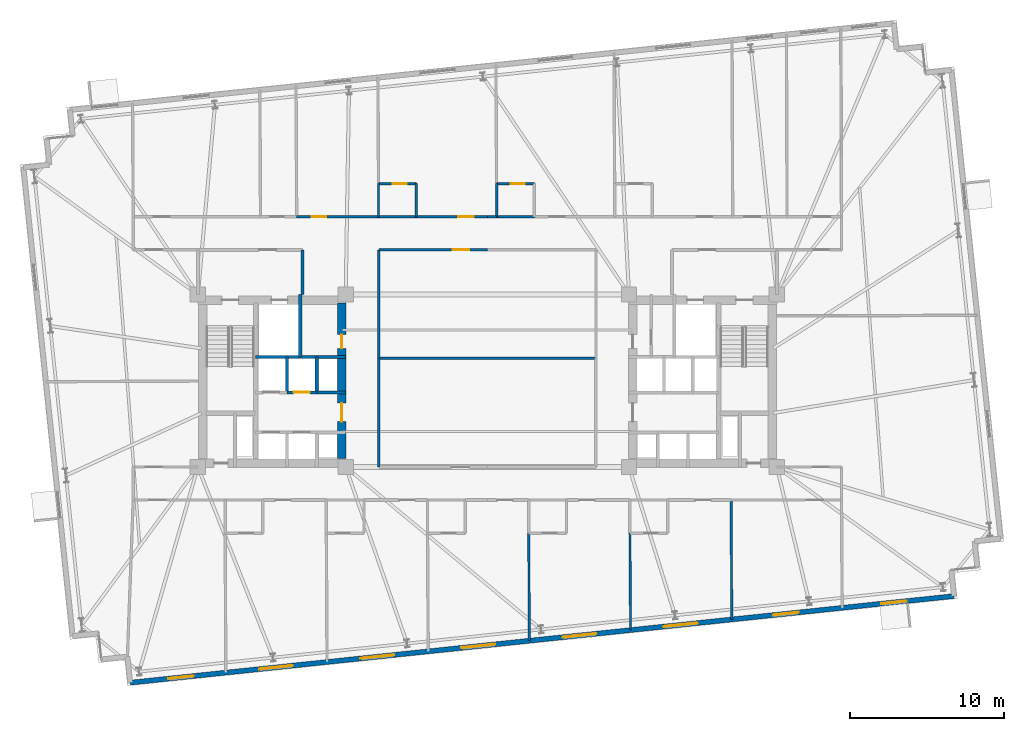
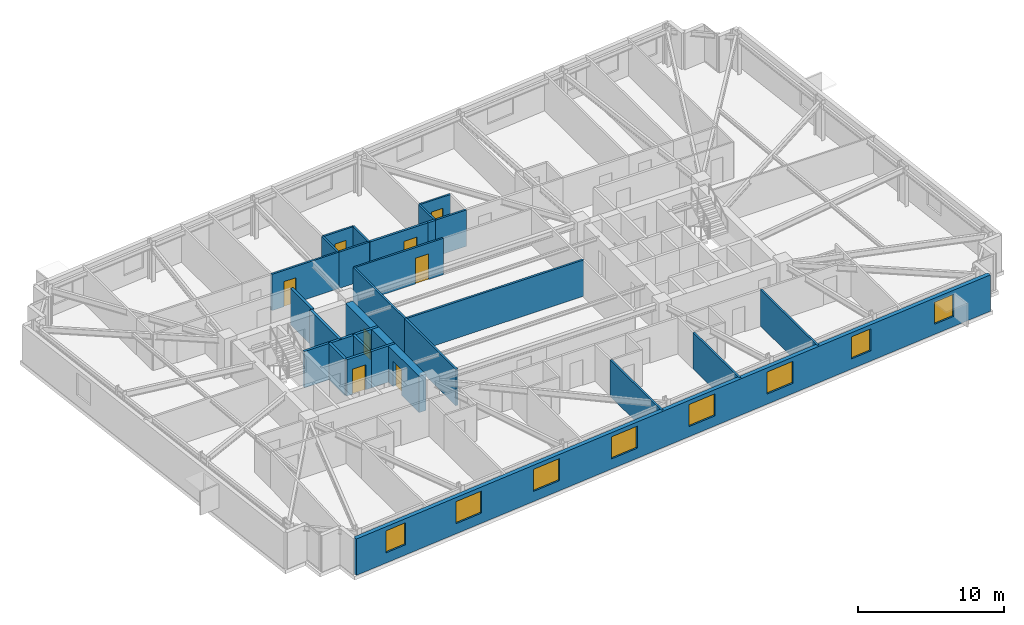
# One storey, part 13 of 18: 26 walls, 8 doors, 8 windows, 16 openings.
"""IFC4 building model written with IfcOpenShell, lengths in metres."""

from ifc_helpers import new_model, si_unit, direction, frame, frame_2d, origin, place, context, subcontext, project, spatial, rectangle, extrude, material, layer, layer_set, type_object, element, fill, save


model = new_model("IFC4")

# Units and contexts
model_context = context("Model", 3, precision=1e-05, world=origin(), true_north=direction((0.0, 1.0)))
body_context = subcontext(model_context, "Body", "Model", "MODEL_VIEW")
ifc_project = project(units=[si_unit("LENGTHUNIT", "METRE"), si_unit("AREAUNIT", "SQUARE_METRE"), si_unit("VOLUMEUNIT", "CUBIC_METRE"), si_unit("PLANEANGLEUNIT", "RADIAN"), si_unit("MASSUNIT", "GRAM", prefix="KILO")], contexts=[model_context])

# Site, building, storey
site_placement = place(None, origin())
site = spatial("IfcSite", under=ifc_project, at=site_placement, CompositionType="ELEMENT")
building_placement = place(site_placement, origin())
building = spatial("IfcBuilding", under=site, at=building_placement, Name="Qobustan Lattice House", CompositionType="ELEMENT")
storey_placement = place(building_placement, frame((0.0, 0.0, 119.199951171875)))
storey = spatial("IfcBuildingStorey", under=building, at=storey_placement, Name="L33", CompositionType="ELEMENT", Elevation=119.199951171875)

# Wall, openings, doors
ifc_material_1 = material(Name="Concrete C60/75", Category="concrete")
ifc_layer_1 = layer(ifc_material_1, 0.56005859375)
ifc_layer_set_1 = layer_set([ifc_layer_1], Name="Concrete C60/75")
wall_type_1 = type_object("IfcWallType", Name="WAL-CORE-600", PredefinedType="SHEAR", material=ifc_layer_set_1)
wall_1_placement = place(storey_placement, frame((-9.449951171875, -5.050048828125, 0.0), z_axis=(0.0, 0.0, 1.0), x_axis=(0.0, 1.0, 0.0)))
wall_1 = element("IfcWall", 1, at=wall_1_placement, inside=storey, type_object=wall_type_1, Name="L33 split-core shear wall CW-E", PredefinedType="SHEAR", context=body_context, shape_type="SweptSolid", body=[
    extrude(rectangle(XDim=10.10009765625, YDim=0.56005859375, at=frame_2d((5.050048828125, 0.0))), origin(), (0.0, 0.0, 1.0), 3.045166015625),
])
opening_1_placement = place(wall_1_placement, frame((7.14990234375, 0.0, 0.0)))
opening_1 = element("IfcOpeningElement", 2, at=opening_1_placement, cuts=wall_1, Name="Opening RD-01", PredefinedType="OPENING", context=body_context, shape_type="SweptSolid", body=[
    extrude(rectangle(XDim=0.89990234375, YDim=2.10009765625, at=frame_2d((0.449951171875, 1.050048828125))), frame((0.0, 0.2900390625, 0.0), z_axis=(0.0, -1.0, 0.0), x_axis=(1.0, 0.0, 0.0)), (0.0, 0.0, 1.0), 0.580078125),
])
opening_2_placement = place(wall_1_placement, frame((2.39990234375, 0.0, 0.0)))
opening_2 = element("IfcOpeningElement", 3, at=opening_2_placement, cuts=wall_1, Name="Opening FD-01", PredefinedType="OPENING", context=body_context, shape_type="SweptSolid", body=[
    extrude(rectangle(XDim=1.199951171875, YDim=2.14990234375, at=frame_2d((0.60009765625, 1.074951171875))), frame((0.0, 0.2900390625, 0.0), z_axis=(0.0, -1.0, 0.0), x_axis=(1.0, 0.0, 0.0)), (0.0, 0.0, 1.0), 0.580078125),
])
ifc_material_2 = material(Name="Persian walnut timber and steel frame door", Category="steel")
door_type_1 = type_object("IfcDoorType", Name="DOR-LOBBY-FD-1200x2150", OperationType="NOTDEFINED", PredefinedType="DOOR", material=ifc_material_2)
door_1_placement = place(opening_2_placement, origin())
door_1 = element("IfcDoor", 4, at=door_1_placement, inside=storey, type_object=door_type_1, Name="L33 West passenger lift lobby fire door", OperationType="SINGLE_SWING_RIGHT", OverallHeight=2.14990234375, OverallWidth=1.199951171875, PredefinedType="DOOR", context=body_context, shape_type="SweptSolid", body=[
    extrude(rectangle(XDim=1.199951171875, YDim=2.14990234375, at=frame_2d((0.60009765625, 1.074951171875))), frame((0.0, 0.02490234375, 0.0), z_axis=(0.0, -1.0, 0.0), x_axis=(1.0, 0.0, 0.0)), (0.0, 0.0, 1.0), 0.050048828125),
])
fill(opening_2, door_1)
ifc_material_3 = material(Name="Persian walnut timber and steel frame door", Category="steel")
door_type_2 = type_object("IfcDoorType", Name="DOR-RISER-FD-900x2100", OperationType="NOTDEFINED", PredefinedType="DOOR", material=ifc_material_3)
door_2_placement = place(opening_1_placement, origin())
door_2 = element("IfcDoor", 5, at=door_2_placement, inside=storey, type_object=door_type_2, Name="L33 Floor tea pantry fire door", OperationType="SINGLE_SWING_LEFT", OverallHeight=2.10009765625, OverallWidth=0.89990234375, PredefinedType="DOOR", context=body_context, shape_type="SweptSolid", body=[
    extrude(rectangle(XDim=0.89990234375, YDim=2.10009765625, at=frame_2d((0.449951171875, 1.050048828125))), frame((0.0, 0.02490234375, 0.0), z_axis=(0.0, -1.0, 0.0), x_axis=(1.0, 0.0, 0.0)), (0.0, 0.0, 1.0), 0.050048828125),
])
fill(opening_1, door_2)

# Wall, openings, windows
ifc_material_4 = material(Name="Precast concrete C40/50", Category="concrete")
ifc_layer_2 = layer(ifc_material_4, 0.320068359375)
ifc_layer_set_2 = layer_set([ifc_layer_2], Name="Precast concrete C40/50")
wall_type_2 = type_object("IfcWallType", Name="WAL-EXT-STONE-320", PredefinedType="SOLIDWALL", material=ifc_layer_set_2)
wall_2_placement = place(storey_placement, frame((30.307373046875, -13.985595703125, 0.0), z_axis=(0.0, 0.0, 1.0), x_axis=(-0.994521628355, -0.104531003701, 0.0)))
wall_2 = element("IfcWall", 6, at=wall_2_placement, inside=storey, type_object=wall_type_2, Name="L33 exterior limestone-clad wall 20", PredefinedType="SOLIDWALL", context=body_context, shape_type="SweptSolid", body=[
    extrude(rectangle(XDim=53.800048828125, YDim=0.320068359375, at=frame_2d((26.89990234375, 0.0))), origin(), (0.0, 0.0, 1.0), 3.045166015625),
])
opening_3_placement = place(wall_2_placement, frame((3.097900390625, 0.0, 0.85009765625)))
opening_3 = element("IfcOpeningElement", 7, at=opening_3_placement, cuts=wall_2, Name="Opening WN-09", PredefinedType="OPENING", context=body_context, shape_type="SweptSolid", body=[
    extrude(rectangle(XDim=1.64990234375, YDim=1.85009765625, at=frame_2d((0.824951171875, 0.925048828125))), frame((0.0, 0.169921875, 0.0), z_axis=(0.0, -1.0, 0.0), x_axis=(1.0, 0.0, 0.0)), (0.0, 0.0, 1.0), 0.340087890625),
])
opening_4_placement = place(wall_2_placement, frame((10.143310546875, 0.0, 0.85009765625)))
opening_4 = element("IfcOpeningElement", 8, at=opening_4_placement, cuts=wall_2, Name="Opening WN-09", PredefinedType="OPENING", context=body_context, shape_type="SweptSolid", body=[
    extrude(rectangle(XDim=1.64990234375, YDim=1.85009765625, at=frame_2d((0.824951171875, 0.925048828125))), frame((0.0, 0.169921875, 0.0), z_axis=(0.0, -1.0, 0.0), x_axis=(1.0, 0.0, 0.0)), (0.0, 0.0, 1.0), 0.340087890625),
])
opening_5_placement = place(wall_2_placement, frame((16.75341796875, 0.0, 0.85009765625)))
opening_5 = element("IfcOpeningElement", 9, at=opening_5_placement, cuts=wall_2, Name="Opening WN-03", PredefinedType="OPENING", context=body_context, shape_type="SweptSolid", body=[
    extrude(rectangle(XDim=2.199951171875, YDim=1.85009765625, at=frame_2d((1.10009765625, 0.925048828125))), frame((0.0, 0.169921875, 0.0), z_axis=(0.0, -1.0, 0.0), x_axis=(1.0, 0.0, 0.0)), (0.0, 0.0, 1.0), 0.340087890625),
])
opening_6_placement = place(wall_2_placement, frame((23.358154296875, 0.0, 0.85009765625)))
opening_6 = element("IfcOpeningElement", 10, at=opening_6_placement, cuts=wall_2, Name="Opening WN-03", PredefinedType="OPENING", context=body_context, shape_type="SweptSolid", body=[
    extrude(rectangle(XDim=2.199951171875, YDim=1.85009765625, at=frame_2d((1.10009765625, 0.925048828125))), frame((0.0, 0.169921875, 0.0), z_axis=(0.0, -1.0, 0.0), x_axis=(1.0, 0.0, 0.0)), (0.0, 0.0, 1.0), 0.340087890625),
])
opening_7_placement = place(wall_2_placement, frame((29.963134765625, 0.0, 0.85009765625)))
opening_7 = element("IfcOpeningElement", 11, at=opening_7_placement, cuts=wall_2, Name="Opening WN-03", PredefinedType="OPENING", context=body_context, shape_type="SweptSolid", body=[
    extrude(rectangle(XDim=2.199951171875, YDim=1.85009765625, at=frame_2d((1.10009765625, 0.925048828125))), frame((0.0, 0.169921875, 0.0), z_axis=(0.0, -1.0, 0.0), x_axis=(1.0, 0.0, 0.0)), (0.0, 0.0, 1.0), 0.340087890625),
])
opening_8_placement = place(wall_2_placement, frame((36.568115234375, 0.0, 0.85009765625)))
opening_8 = element("IfcOpeningElement", 12, at=opening_8_placement, cuts=wall_2, Name="Opening WN-03", PredefinedType="OPENING", context=body_context, shape_type="SweptSolid", body=[
    extrude(rectangle(XDim=2.199951171875, YDim=1.85009765625, at=frame_2d((1.10009765625, 0.925048828125))), frame((0.0, 0.169921875, 0.0), z_axis=(0.0, -1.0, 0.0), x_axis=(1.0, 0.0, 0.0)), (0.0, 0.0, 1.0), 0.340087890625),
])
opening_9_placement = place(wall_2_placement, frame((43.1728515625, 0.0, 0.85009765625)))
opening_9 = element("IfcOpeningElement", 13, at=opening_9_placement, cuts=wall_2, Name="Opening WN-03", PredefinedType="OPENING", context=body_context, shape_type="SweptSolid", body=[
    extrude(rectangle(XDim=2.199951171875, YDim=1.85009765625, at=frame_2d((1.10009765625, 0.925048828125))), frame((0.0, 0.169921875, 0.0), z_axis=(0.0, -1.0, 0.0), x_axis=(1.0, 0.0, 0.0)), (0.0, 0.0, 1.0), 0.340087890625),
])
opening_10_placement = place(wall_2_placement, frame((49.652587890625, 0.0, 0.85009765625)))
opening_10 = element("IfcOpeningElement", 14, at=opening_10_placement, cuts=wall_2, Name="Opening WN-09", PredefinedType="OPENING", context=body_context, shape_type="SweptSolid", body=[
    extrude(rectangle(XDim=1.64990234375, YDim=1.85009765625, at=frame_2d((0.824951171875, 0.925048828125))), frame((0.0, 0.169921875, 0.0), z_axis=(0.0, -1.0, 0.0), x_axis=(1.0, 0.0, 0.0)), (0.0, 0.0, 1.0), 0.340087890625),
])
ifc_material_5 = material(Name="Double-glazed low-E aluminium window", Category="aluminium")
window_type_1 = type_object("IfcWindowType", Name="WIN-STU-1650x1850", PartitioningType="SINGLE_PANEL", PredefinedType="WINDOW", material=ifc_material_5)
window_1_placement = place(opening_3_placement, origin())
window_1 = element("IfcWindow", 15, at=window_1_placement, inside=storey, type_object=window_type_1, Name="L33 Academic seminar room window", OverallHeight=1.85009765625, OverallWidth=1.64990234375, PartitioningType="SINGLE_PANEL", PredefinedType="WINDOW", context=body_context, shape_type="SweptSolid", body=[
    extrude(rectangle(XDim=1.64990234375, YDim=1.85009765625, at=frame_2d((0.824951171875, 0.925048828125))), frame((0.0, 0.030029296875, 0.0), z_axis=(0.0, -1.0, 0.0), x_axis=(1.0, 0.0, 0.0)), (0.0, 0.0, 1.0), 0.06005859375),
])
fill(opening_3, window_1)
window_2_placement = place(opening_4_placement, origin())
window_2 = element("IfcWindow", 16, at=window_2_placement, inside=storey, type_object=window_type_1, Name="L33 Group study room window", OverallHeight=1.85009765625, OverallWidth=1.64990234375, PartitioningType="SINGLE_PANEL", PredefinedType="WINDOW", context=body_context, shape_type="SweptSolid", body=[
    extrude(rectangle(XDim=1.64990234375, YDim=1.85009765625, at=frame_2d((0.824951171875, 0.925048828125))), frame((0.0, 0.030029296875, 0.0), z_axis=(0.0, -1.0, 0.0), x_axis=(1.0, 0.0, 0.0)), (0.0, 0.0, 1.0), 0.06005859375),
])
fill(opening_4, window_2)
window_3_placement = place(opening_10_placement, origin())
window_3 = element("IfcWindow", 17, at=window_3_placement, inside=storey, type_object=window_type_1, Name="L33 Focus study room S1 window", OverallHeight=1.85009765625, OverallWidth=1.64990234375, PartitioningType="SINGLE_PANEL", PredefinedType="WINDOW", context=body_context, shape_type="SweptSolid", body=[
    extrude(rectangle(XDim=1.64990234375, YDim=1.85009765625, at=frame_2d((0.824951171875, 0.925048828125))), frame((0.0, 0.030029296875, 0.0), z_axis=(0.0, -1.0, 0.0), x_axis=(1.0, 0.0, 0.0)), (0.0, 0.0, 1.0), 0.06005859375),
])
fill(opening_10, window_3)
ifc_material_6 = material(Name="Double-glazed low-E aluminium window", Category="aluminium")
window_type_2 = type_object("IfcWindowType", Name="WIN-WIDE-2200x1850", PartitioningType="SINGLE_PANEL", PredefinedType="WINDOW", material=ifc_material_6)
window_4_placement = place(opening_5_placement, origin())
window_4 = element("IfcWindow", 18, at=window_4_placement, inside=storey, type_object=window_type_2, Name="L33 Kitchenette and studio apartment L33-S6 window", OverallHeight=1.85009765625, OverallWidth=2.199951171875, PartitioningType="SINGLE_PANEL", PredefinedType="WINDOW", context=body_context, shape_type="SweptSolid", body=[
    extrude(rectangle(XDim=2.199951171875, YDim=1.85009765625, at=frame_2d((1.10009765625, 0.925048828125))), frame((0.0, 0.030029296875, 0.0), z_axis=(0.0, -1.0, 0.0), x_axis=(1.0, 0.0, 0.0)), (0.0, 0.0, 1.0), 0.06005859375),
])
fill(opening_5, window_4)
window_5_placement = place(opening_6_placement, origin())
window_5 = element("IfcWindow", 19, at=window_5_placement, inside=storey, type_object=window_type_2, Name="L33 Kitchenette and studio apartment L33-S5 window", OverallHeight=1.85009765625, OverallWidth=2.199951171875, PartitioningType="SINGLE_PANEL", PredefinedType="WINDOW", context=body_context, shape_type="SweptSolid", body=[
    extrude(rectangle(XDim=2.199951171875, YDim=1.85009765625, at=frame_2d((1.10009765625, 0.925048828125))), frame((0.0, 0.030029296875, 0.0), z_axis=(0.0, -1.0, 0.0), x_axis=(1.0, 0.0, 0.0)), (0.0, 0.0, 1.0), 0.06005859375),
])
fill(opening_6, window_5)
window_6_placement = place(opening_7_placement, origin())
window_6 = element("IfcWindow", 20, at=window_6_placement, inside=storey, type_object=window_type_2, Name="L33 Kitchenette and studio apartment L33-S4 window", OverallHeight=1.85009765625, OverallWidth=2.199951171875, PartitioningType="SINGLE_PANEL", PredefinedType="WINDOW", context=body_context, shape_type="SweptSolid", body=[
    extrude(rectangle(XDim=2.199951171875, YDim=1.85009765625, at=frame_2d((1.10009765625, 0.925048828125))), frame((0.0, 0.030029296875, 0.0), z_axis=(0.0, -1.0, 0.0), x_axis=(1.0, 0.0, 0.0)), (0.0, 0.0, 1.0), 0.06005859375),
])
fill(opening_7, window_6)
window_7_placement = place(opening_8_placement, origin())
window_7 = element("IfcWindow", 21, at=window_7_placement, inside=storey, type_object=window_type_2, Name="L33 Kitchenette and studio apartment L33-S3 window", OverallHeight=1.85009765625, OverallWidth=2.199951171875, PartitioningType="SINGLE_PANEL", PredefinedType="WINDOW", context=body_context, shape_type="SweptSolid", body=[
    extrude(rectangle(XDim=2.199951171875, YDim=1.85009765625, at=frame_2d((1.10009765625, 0.925048828125))), frame((0.0, 0.030029296875, 0.0), z_axis=(0.0, -1.0, 0.0), x_axis=(1.0, 0.0, 0.0)), (0.0, 0.0, 1.0), 0.06005859375),
])
fill(opening_8, window_7)
window_8_placement = place(opening_9_placement, origin())
window_8 = element("IfcWindow", 22, at=window_8_placement, inside=storey, type_object=window_type_2, Name="L33 Kitchenette and studio apartment L33-S2 window", OverallHeight=1.85009765625, OverallWidth=2.199951171875, PartitioningType="SINGLE_PANEL", PredefinedType="WINDOW", context=body_context, shape_type="SweptSolid", body=[
    extrude(rectangle(XDim=2.199951171875, YDim=1.85009765625, at=frame_2d((1.10009765625, 0.925048828125))), frame((0.0, 0.030029296875, 0.0), z_axis=(0.0, -1.0, 0.0), x_axis=(1.0, 0.0, 0.0)), (0.0, 0.0, 1.0), 0.06005859375),
])
fill(opening_9, window_8)

# Wall, opening, door
ifc_material_7 = material(Name="Gypsum fireboard acoustic partition", Category="gypsum")
ifc_layer_3 = layer(ifc_material_7, 0.179931640625)
ifc_layer_set_3 = layer_set([ifc_layer_3], Name="Gypsum fireboard acoustic partition")
wall_type_3 = type_object("IfcWallType", Name="WAL-FIRE-180", PredefinedType="PARTITIONING", material=ifc_layer_set_3)
wall_3_placement = place(storey_placement, frame((-4.616943359375, 10.64990234375, 0.0), z_axis=(0.0, 0.0, 1.0), x_axis=(1.0, 0.0, 0.0)))
wall_3 = element("IfcWall", 23, at=wall_3_placement, inside=storey, type_object=wall_type_3, Name="L33 interior partition 41", PredefinedType="PARTITIONING", context=body_context, shape_type="SweptSolid", body=[
    extrude(rectangle(XDim=4.616943359375, YDim=0.179931640625, at=frame_2d((2.30859375, 0.0))), origin(), (0.0, 0.0, 1.0), 3.045166015625),
])
opening_11_placement = place(wall_3_placement, frame((2.72998046875, 0.0, 0.0)))
opening_11 = element("IfcOpeningElement", 24, at=opening_11_placement, cuts=wall_3, Name="Opening FD-02", PredefinedType="OPENING", context=body_context, shape_type="SweptSolid", body=[
    extrude(rectangle(XDim=1.0, YDim=2.14990234375, at=frame_2d((0.5, 1.074951171875))), frame((0.0, 0.099853515625, 0.0), z_axis=(0.0, -1.0, 0.0), x_axis=(1.0, 0.0, 0.0)), (0.0, 0.0, 1.0), 0.199951171875),
])
ifc_material_8 = material(Name="Persian walnut timber and steel frame door", Category="steel")
door_type_3 = type_object("IfcDoorType", Name="DOR-UNIT-FD-1000x2150", OperationType="NOTDEFINED", PredefinedType="DOOR", material=ifc_material_8)
door_3_placement = place(opening_11_placement, origin())
door_3 = element("IfcDoor", 25, at=door_3_placement, inside=storey, type_object=door_type_3, Name="L33 North-west floor corridor to Kitchenette and studio apartment L33-N3 door", OperationType="SINGLE_SWING_LEFT", OverallHeight=2.14990234375, OverallWidth=1.0, PredefinedType="DOOR", context=body_context, shape_type="SweptSolid", body=[
    extrude(rectangle(XDim=1.0, YDim=2.14990234375, at=frame_2d((0.5, 1.074951171875))), frame((0.0, 0.02490234375, 0.0), z_axis=(0.0, -1.0, 0.0), x_axis=(1.0, 0.0, 0.0)), (0.0, 0.0, 1.0), 0.050048828125),
])
fill(opening_11, door_3)

# Wall
wall_4_placement = place(storey_placement, frame((0.0, 10.64990234375, 0.0), z_axis=(0.0, 0.0, 1.0), x_axis=(1.0, 0.0, 0.0)))
element("IfcWall", 26, at=wall_4_placement, inside=storey, type_object=wall_type_3, Name="L33 interior partition 46", PredefinedType="PARTITIONING", context=body_context, shape_type="SweptSolid", body=[
    extrude(rectangle(XDim=0.60009765625, YDim=0.179931640625, at=frame_2d((0.300048828125, 0.0))), origin(), (0.0, 0.0, 1.0), 3.045166015625),
])

# Wall, opening, door
ifc_material_9 = material(Name="Acoustic twin-stud gypsum partition", Category="gypsum")
ifc_layer_4 = layer(ifc_material_9, 0.14990234375)
ifc_layer_set_4 = layer_set([ifc_layer_4], Name="Acoustic twin-stud gypsum partition")
wall_type_4 = type_object("IfcWallType", Name="WAL-PART-150", PredefinedType="PARTITIONING", material=ifc_layer_set_4)
wall_5_placement = place(storey_placement, frame((-12.383056640625, 10.64990234375, 0.0), z_axis=(0.0, 0.0, 1.0), x_axis=(1.0, 0.0, 0.0)))
wall_5 = element("IfcWall", 27, at=wall_5_placement, inside=storey, type_object=wall_type_4, Name="L33 interior partition 40", PredefinedType="PARTITIONING", context=body_context, shape_type="SweptSolid", body=[
    extrude(rectangle(XDim=5.316162109375, YDim=0.14990234375, at=frame_2d((2.658203125, 0.0))), origin(), (0.0, 0.0, 1.0), 3.045166015625),
])
opening_12_placement = place(wall_5_placement, frame((0.980712890625, 0.0, 0.0)))
opening_12 = element("IfcOpeningElement", 28, at=opening_12_placement, cuts=wall_5, Name="Opening ID-01", PredefinedType="OPENING", context=body_context, shape_type="SweptSolid", body=[
    extrude(rectangle(XDim=0.949951171875, YDim=2.10009765625, at=frame_2d((0.47509765625, 1.050048828125))), frame((0.0, 0.0849609375, 0.0), z_axis=(0.0, -1.0, 0.0), x_axis=(1.0, 0.0, 0.0)), (0.0, 0.0, 1.0), 0.169921875),
])
ifc_material_10 = material(Name="Persian walnut timber and steel frame door", Category="steel")
door_type_4 = type_object("IfcDoorType", Name="DOR-ROOM-950x2100", OperationType="NOTDEFINED", PredefinedType="DOOR", material=ifc_material_10)
door_4_placement = place(opening_12_placement, origin())
door_4 = element("IfcDoor", 29, at=door_4_placement, inside=storey, type_object=door_type_4, Name="L33 North-west floor corridor to Laundry utility room door", OperationType="SINGLE_SWING_RIGHT", OverallHeight=2.10009765625, OverallWidth=0.949951171875, PredefinedType="DOOR", context=body_context, shape_type="SweptSolid", body=[
    extrude(rectangle(XDim=0.949951171875, YDim=2.10009765625, at=frame_2d((0.47509765625, 1.050048828125))), frame((0.0, 0.02490234375, 0.0), z_axis=(0.0, -1.0, 0.0), x_axis=(1.0, 0.0, 0.0)), (0.0, 0.0, 1.0), 0.050048828125),
])
fill(opening_12, door_4)

wall_6_placement = place(storey_placement, frame((0.0, 8.5, 0.0), z_axis=(0.0, 0.0, 1.0), x_axis=(-1.0, 0.0, 0.0)))
wall_6 = element("IfcWall", 30, at=wall_6_placement, inside=storey, type_object=wall_type_4, Name="L33 interior partition 43", PredefinedType="PARTITIONING", context=body_context, shape_type="SweptSolid", body=[
    extrude(rectangle(XDim=7.050048828125, YDim=0.14990234375, at=frame_2d((3.52490234375, 0.0))), origin(), (0.0, 0.0, 1.0), 3.045166015625),
])
opening_13_placement = place(wall_6_placement, frame((1.18505859375, 0.0, 0.0)))
opening_13 = element("IfcOpeningElement", 31, at=opening_13_placement, cuts=wall_6, Name="Opening ID-02", PredefinedType="OPENING", context=body_context, shape_type="SweptSolid", body=[
    extrude(rectangle(XDim=1.050048828125, YDim=2.14990234375, at=frame_2d((0.52490234375, 1.074951171875))), frame((0.0, 0.0849609375, 0.0), z_axis=(0.0, -1.0, 0.0), x_axis=(1.0, 0.0, 0.0)), (0.0, 0.0, 1.0), 0.169921875),
])
ifc_material_11 = material(Name="Persian walnut timber and steel frame door", Category="steel")
door_type_5 = type_object("IfcDoorType", Name="DOR-STUDY-1050x2150", OperationType="NOTDEFINED", PredefinedType="DOOR", material=ifc_material_11)
door_5_placement = place(opening_13_placement, origin())
door_5 = element("IfcDoor", 32, at=door_5_placement, inside=storey, type_object=door_type_5, Name="L33 North-west floor corridor to Central collaborative study room door", OperationType="SINGLE_SWING_RIGHT", OverallHeight=2.14990234375, OverallWidth=1.050048828125, PredefinedType="DOOR", context=body_context, shape_type="SweptSolid", body=[
    extrude(rectangle(XDim=1.050048828125, YDim=2.14990234375, at=frame_2d((0.52490234375, 1.074951171875))), frame((0.0, 0.02490234375, 0.0), z_axis=(0.0, -1.0, 0.0), x_axis=(1.0, 0.0, 0.0)), (0.0, 0.0, 1.0), 0.050048828125),
])
fill(opening_13, door_5)

# Walls
wall_7_placement = place(storey_placement, frame((-7.050048828125, 8.5, 0.0), z_axis=(0.0, 0.0, 1.0), x_axis=(0.0, -1.0, 0.0)))
element("IfcWall", 33, at=wall_7_placement, inside=storey, type_object=wall_type_4, Name="L33 interior partition 74", PredefinedType="PARTITIONING", context=body_context, shape_type="SweptSolid", body=[
    extrude(rectangle(XDim=7.050048828125, YDim=0.14990234375, at=frame_2d((3.52490234375, 0.0))), origin(), (0.0, 0.0, 1.0), 3.045166015625),
])
wall_8_placement = place(storey_placement, frame((2.68603515625, -9.89990234375, 0.0), z_axis=(0.0, 0.0, 1.0), x_axis=(0.006291821768, -0.999980206294, 0.0)))
element("IfcWall", 34, at=wall_8_placement, inside=storey, type_object=wall_type_4, Name="L33 interior partition 111", PredefinedType="PARTITIONING", context=body_context, shape_type="SweptSolid", body=[
    extrude(rectangle(XDim=6.984619140625, YDim=0.14990234375, at=frame_2d((3.4921875, 0.0))), origin(), (0.0, 0.0, 1.0), 3.045166015625),
])
wall_9_placement = place(storey_placement, frame((9.257080078125, -9.89990234375, 0.0), z_axis=(0.0, 0.0, 1.0), x_axis=(0.006943468909, -0.999975893829, 0.0)))
element("IfcWall", 35, at=wall_9_placement, inside=storey, type_object=wall_type_4, Name="L33 interior partition 115", PredefinedType="PARTITIONING", context=body_context, shape_type="SweptSolid", body=[
    extrude(rectangle(XDim=6.2939453125, YDim=0.14990234375, at=frame_2d((3.14697265625, 0.0))), origin(), (0.0, 0.0, 1.0), 3.045166015625),
])
wall_10_placement = place(storey_placement, frame((15.8291015625, -7.75, 0.0), z_axis=(0.0, 0.0, 1.0), x_axis=(0.00563681802, -0.999984113015, 0.0)))
element("IfcWall", 36, at=wall_10_placement, inside=storey, type_object=wall_type_4, Name="L33 interior partition 119", PredefinedType="PARTITIONING", context=body_context, shape_type="SweptSolid", body=[
    extrude(rectangle(XDim=7.7529296875, YDim=0.14990234375, at=frame_2d((3.87646484375, 0.0))), origin(), (0.0, 0.0, 1.0), 3.045166015625),
])
ifc_material_12 = material(Name="High-mass acoustic twin-stud partition", Category="gypsum")
ifc_layer_5 = layer(ifc_material_12, 0.1650390625)
ifc_layer_set_5 = layer_set([ifc_layer_5], Name="High-mass acoustic twin-stud partition")
wall_type_5 = type_object("IfcWallType", Name="WAL-PART-165", PredefinedType="PARTITIONING", material=ifc_layer_set_5)
wall_11_placement = place(storey_placement, frame((-7.050048828125, 1.449951171875, 0.0), z_axis=(0.0, 0.0, 1.0), x_axis=(0.0, -1.0, 0.0)))
element("IfcWall", 37, at=wall_11_placement, inside=storey, type_object=wall_type_5, Name="L33 interior partition 73", PredefinedType="PARTITIONING", context=body_context, shape_type="SweptSolid", body=[
    extrude(rectangle(XDim=7.050048828125, YDim=0.1650390625, at=frame_2d((3.52490234375, 0.0))), origin(), (0.0, 0.0, 1.0), 3.045166015625),
])
wall_12_placement = place(storey_placement, frame((-7.050048828125, 1.449951171875, 0.0), z_axis=(0.0, 0.0, 1.0), x_axis=(1.0, 0.0, 0.0)))
element("IfcWall", 38, at=wall_12_placement, inside=storey, type_object=wall_type_5, Name="L33 interior partition 120", PredefinedType="PARTITIONING", context=body_context, shape_type="SweptSolid", body=[
    extrude(rectangle(XDim=14.10009765625, YDim=0.1650390625, at=frame_2d((7.050048828125, 0.0))), origin(), (0.0, 0.0, 1.0), 3.045166015625),
])
ifc_material_13 = material(Name="Two-hour gypsum fireboard acoustic partition", Category="gypsum")
ifc_layer_6 = layer(ifc_material_13, 0.199951171875)
ifc_layer_set_6 = layer_set([ifc_layer_6], Name="Two-hour gypsum fireboard acoustic partition")
wall_type_6 = type_object("IfcWallType", Name="WAL-PROT-200", PredefinedType="PARTITIONING", material=ifc_layer_set_6)
wall_13_placement = place(storey_placement, frame((-12.0, 5.60009765625, 0.0), z_axis=(0.0, 0.0, 1.0), x_axis=(0.0, 1.0, 0.0)))
element("IfcWall", 39, at=wall_13_placement, inside=storey, type_object=wall_type_6, Name="L33 interior partition 4", PredefinedType="PARTITIONING", context=body_context, shape_type="SweptSolid", body=[
    extrude(rectangle(XDim=2.89990234375, YDim=0.199951171875, at=frame_2d((1.449951171875, 0.0))), origin(), (0.0, 0.0, 1.0), 3.045166015625),
])
ifc_material_14 = material(Name="Concrete C40/50", Category="concrete")
ifc_layer_7 = layer(ifc_material_14, 0.199951171875)
ifc_layer_set_7 = layer_set([ifc_layer_7], Name="Concrete C40/50")
wall_type_7 = type_object("IfcWallType", Name="WAL-SHAFT-200", PredefinedType="PARTITIONING", material=ifc_layer_set_7)
wall_14_placement = place(storey_placement, frame((-12.14990234375, 1.550048828125, 0.0), z_axis=(0.0, 0.0, 1.0), x_axis=(0.0, 1.0, 0.0)))
element("IfcWall", 40, at=wall_14_placement, inside=storey, type_object=wall_type_7, Name="L33 interior partition 2", PredefinedType="PARTITIONING", context=body_context, shape_type="SweptSolid", body=[
    extrude(rectangle(XDim=4.050048828125, YDim=0.199951171875, at=frame_2d((2.02490234375, 0.0))), origin(), (0.0, 0.0, 1.0), 3.045166015625),
])

# Wall, opening, door
wall_15_placement = place(storey_placement, frame((-11.080078125, -0.75, 0.0), z_axis=(0.0, 0.0, 1.0), x_axis=(-1.0, 0.0, 0.0)))
wall_15 = element("IfcWall", 41, at=wall_15_placement, inside=storey, type_object=wall_type_7, Name="L33 interior partition 11", PredefinedType="PARTITIONING", context=body_context, shape_type="SweptSolid", body=[
    extrude(rectangle(XDim=1.93994140625, YDim=0.199951171875, at=frame_2d((0.969970703125, 0.0))), origin(), (0.0, 0.0, 1.0), 3.045166015625),
])
opening_14_placement = place(wall_15_placement, frame((0.445068359375, 0.0, 0.0)))
opening_14 = element("IfcOpeningElement", 42, at=opening_14_placement, cuts=wall_15, Name="Opening LD-01", PredefinedType="OPENING", context=body_context, shape_type="SweptSolid", body=[
    extrude(rectangle(XDim=1.050048828125, YDim=2.10009765625, at=frame_2d((0.52490234375, 1.050048828125))), frame((0.0, 0.10986328125, 0.0), z_axis=(0.0, -1.0, 0.0), x_axis=(1.0, 0.0, 0.0)), (0.0, 0.0, 1.0), 0.219970703125),
])
ifc_material_15 = material(Name="Persian walnut timber and steel frame door", Category="steel")
door_type_6 = type_object("IfcDoorType", Name="DOR-LIFT-LD-1050x2100", OperationType="NOTDEFINED", PredefinedType="DOOR", material=ifc_material_15)
door_6_placement = place(opening_14_placement, origin())
door_6 = element("IfcDoor", 43, at=door_6_placement, inside=storey, type_object=door_type_6, Name="L33 lift landing door", OperationType="DOUBLE_DOOR_SLIDING", OverallHeight=2.10009765625, OverallWidth=1.050048828125, PredefinedType="DOOR", context=body_context, shape_type="SweptSolid", body=[
    extrude(rectangle(XDim=1.050048828125, YDim=2.10009765625, at=frame_2d((0.52490234375, 1.050048828125))), frame((0.0, 0.02490234375, 0.0), z_axis=(0.0, -1.0, 0.0), x_axis=(1.0, 0.0, 0.0)), (0.0, 0.0, 1.0), 0.050048828125),
])
fill(opening_14, door_6)

# Walls
wall_16_placement = place(storey_placement, frame((-9.199951171875, -0.75, 0.0), z_axis=(0.0, 0.0, 1.0), x_axis=(-1.0, 0.0, 0.0)))
element("IfcWall", 44, at=wall_16_placement, inside=storey, type_object=wall_type_7, Name="L33 interior partition 12", PredefinedType="PARTITIONING", context=body_context, shape_type="SweptSolid", body=[
    extrude(rectangle(XDim=1.880126953125, YDim=0.199951171875, at=frame_2d((0.93994140625, 0.0))), origin(), (0.0, 0.0, 1.0), 3.045166015625),
])
for number, where, z_axis, x_axis, name in (
    (45, (-13.02001953125, -0.75, 0.0), (0.0, 0.0, 1.0), (0.0, 1.0, 0.0), "L33 interior partition 16"),
    (46, (-11.080078125, -0.75, 0.0), (0.0, 0.0, 1.0), (0.0, 1.0, 0.0), "L33 interior partition 17"),
):
    element("IfcWall", number, at=place(storey_placement, frame(where, z_axis=z_axis, x_axis=x_axis)), inside=storey, type_object=wall_type_7, Name=name, PredefinedType="PARTITIONING", context=body_context, shape_type="SweptSolid", body=[
        extrude(rectangle(XDim=2.300048828125, YDim=0.199951171875, at=frame_2d((1.14990234375, 0.0))), origin(), (0.0, 0.0, 1.0), 3.045166015625),
    ])
wall_17_placement = place(storey_placement, frame((-15.050048828125, 1.550048828125, 0.0), z_axis=(0.0, 0.0, 1.0), x_axis=(1.0, 0.0, 0.0)))
element("IfcWall", 47, at=wall_17_placement, inside=storey, type_object=wall_type_7, Name="L33 interior partition 121", PredefinedType="PARTITIONING", context=body_context, shape_type="SweptSolid", body=[
    extrude(rectangle(XDim=5.85009765625, YDim=0.199951171875, at=frame_2d((2.925048828125, 0.0))), origin(), (0.0, 0.0, 1.0), 3.045166015625),
])
ifc_material_16 = material(Name="Moisture-resistant acoustic plumbing wall", Category="gypsum")
ifc_layer_8 = layer(ifc_material_16, 0.14990234375)
ifc_layer_set_8 = layer_set([ifc_layer_8], Name="Moisture-resistant acoustic plumbing wall")
wall_type_8 = type_object("IfcWallType", Name="WAL-WET-150", PredefinedType="PLUMBINGWALL", material=ifc_layer_set_8)
for number, where, z_axis, x_axis, name in (
    (48, (-7.06689453125, 10.64990234375, 0.0), (0.0, 0.0, 1.0), (1.0, 0.0, 0.0), "L33 interior partition 42"),
    (49, (0.60009765625, 10.64990234375, 0.0), (0.0, 0.0, 1.0), (1.0, 0.0, 0.0), "L33 interior partition 48"),
):
    element("IfcWall", number, at=place(storey_placement, frame(where, z_axis=z_axis, x_axis=x_axis)), inside=storey, type_object=wall_type_8, Name=name, PredefinedType="PLUMBINGWALL", context=body_context, shape_type="SweptSolid", body=[
        extrude(rectangle(XDim=2.449951171875, YDim=0.14990234375, at=frame_2d((1.22509765625, 0.0))), origin(), (0.0, 0.0, 1.0), 3.045166015625),
    ])
wall_18_placement = place(storey_placement, frame((-7.06689453125, 12.800048828125, 0.0), z_axis=(0.0, 0.0, 1.0), x_axis=(0.0, -1.0, 0.0)))
element("IfcWall", 50, at=wall_18_placement, inside=storey, type_object=wall_type_8, Name="L33 interior partition 86", PredefinedType="PLUMBINGWALL", context=body_context, shape_type="SweptSolid", body=[
    extrude(rectangle(XDim=2.150146484375, YDim=0.14990234375, at=frame_2d((1.0751953125, 0.0))), origin(), (0.0, 0.0, 1.0), 3.045166015625),
])

# Wall, opening, door
wall_19_placement = place(storey_placement, frame((-4.616943359375, 12.800048828125, 0.0), z_axis=(0.0, 0.0, 1.0), x_axis=(-1.0, 0.0, 0.0)))
wall_19 = element("IfcWall", 51, at=wall_19_placement, inside=storey, type_object=wall_type_8, Name="L33 interior partition 87", PredefinedType="PLUMBINGWALL", context=body_context, shape_type="SweptSolid", body=[
    extrude(rectangle(XDim=2.449951171875, YDim=0.14990234375, at=frame_2d((1.22509765625, 0.0))), origin(), (0.0, 0.0, 1.0), 3.045166015625),
])
opening_15_placement = place(wall_19_placement, frame((0.62890625, 0.0, 0.0)))
opening_15 = element("IfcOpeningElement", 52, at=opening_15_placement, cuts=wall_19, Name="Opening WD-01", PredefinedType="OPENING", context=body_context, shape_type="SweptSolid", body=[
    extrude(rectangle(XDim=0.89990234375, YDim=2.10009765625, at=frame_2d((0.449951171875, 1.050048828125))), frame((0.0, 0.0849609375, 0.0), z_axis=(0.0, -1.0, 0.0), x_axis=(1.0, 0.0, 0.0)), (0.0, 0.0, 1.0), 0.169921875),
])
ifc_material_17 = material(Name="Persian walnut timber and steel frame door", Category="steel")
door_type_7 = type_object("IfcDoorType", Name="DOR-WET-900x2100", OperationType="NOTDEFINED", PredefinedType="DOOR", material=ifc_material_17)
door_7_placement = place(opening_15_placement, origin())
door_7 = element("IfcDoor", 53, at=door_7_placement, inside=storey, type_object=door_type_7, Name="L33 Kitchenette and studio apartment L33-N3 to En-suite bathroom L33-N3 door", OperationType="SINGLE_SWING_RIGHT", OverallHeight=2.10009765625, OverallWidth=0.89990234375, PredefinedType="DOOR", context=body_context, shape_type="SweptSolid", body=[
    extrude(rectangle(XDim=0.89990234375, YDim=2.10009765625, at=frame_2d((0.449951171875, 1.050048828125))), frame((0.0, 0.02490234375, 0.0), z_axis=(0.0, -1.0, 0.0), x_axis=(1.0, 0.0, 0.0)), (0.0, 0.0, 1.0), 0.050048828125),
])
fill(opening_15, door_7)

# Walls
for number, where, z_axis, x_axis, name in (
    (54, (-4.616943359375, 10.64990234375, 0.0), (0.0, 0.0, 1.0), (0.0, 1.0, 0.0), "L33 interior partition 88"),
    (55, (0.60009765625, 12.800048828125, 0.0), (0.0, 0.0, 1.0), (0.0, -1.0, 0.0), "L33 interior partition 90"),
):
    element("IfcWall", number, at=place(storey_placement, frame(where, z_axis=z_axis, x_axis=x_axis)), inside=storey, type_object=wall_type_8, Name=name, PredefinedType="PLUMBINGWALL", context=body_context, shape_type="SweptSolid", body=[
        extrude(rectangle(XDim=2.150146484375, YDim=0.14990234375, at=frame_2d((1.0751953125, 0.0))), origin(), (0.0, 0.0, 1.0), 3.045166015625),
    ])

# Wall, opening, door
wall_20_placement = place(storey_placement, frame((3.050048828125, 12.800048828125, 0.0), z_axis=(0.0, 0.0, 1.0), x_axis=(-1.0, 0.0, 0.0)))
wall_20 = element("IfcWall", 56, at=wall_20_placement, inside=storey, type_object=wall_type_8, Name="L33 interior partition 91", PredefinedType="PLUMBINGWALL", context=body_context, shape_type="SweptSolid", body=[
    extrude(rectangle(XDim=2.449951171875, YDim=0.14990234375, at=frame_2d((1.22509765625, 0.0))), origin(), (0.0, 0.0, 1.0), 3.045166015625),
])
opening_16_placement = place(wall_20_placement, frame((0.628662109375, 0.0, 0.0)))
opening_16 = element("IfcOpeningElement", 57, at=opening_16_placement, cuts=wall_20, Name="Opening WD-01", PredefinedType="OPENING", context=body_context, shape_type="SweptSolid", body=[
    extrude(rectangle(XDim=0.89990234375, YDim=2.10009765625, at=frame_2d((0.449951171875, 1.050048828125))), frame((0.0, 0.0849609375, 0.0), z_axis=(0.0, -1.0, 0.0), x_axis=(1.0, 0.0, 0.0)), (0.0, 0.0, 1.0), 0.169921875),
])
door_8_placement = place(opening_16_placement, origin())
door_8 = element("IfcDoor", 58, at=door_8_placement, inside=storey, type_object=door_type_7, Name="L33 Kitchenette and studio apartment L33-N4 to En-suite bathroom L33-N4 door", OperationType="SINGLE_SWING_LEFT", OverallHeight=2.10009765625, OverallWidth=0.89990234375, PredefinedType="DOOR", context=body_context, shape_type="SweptSolid", body=[
    extrude(rectangle(XDim=0.89990234375, YDim=2.10009765625, at=frame_2d((0.449951171875, 1.050048828125))), frame((0.0, 0.02490234375, 0.0), z_axis=(0.0, -1.0, 0.0), x_axis=(1.0, 0.0, 0.0)), (0.0, 0.0, 1.0), 0.050048828125),
])
fill(opening_16, door_8)

save(model, "model.ifc")
